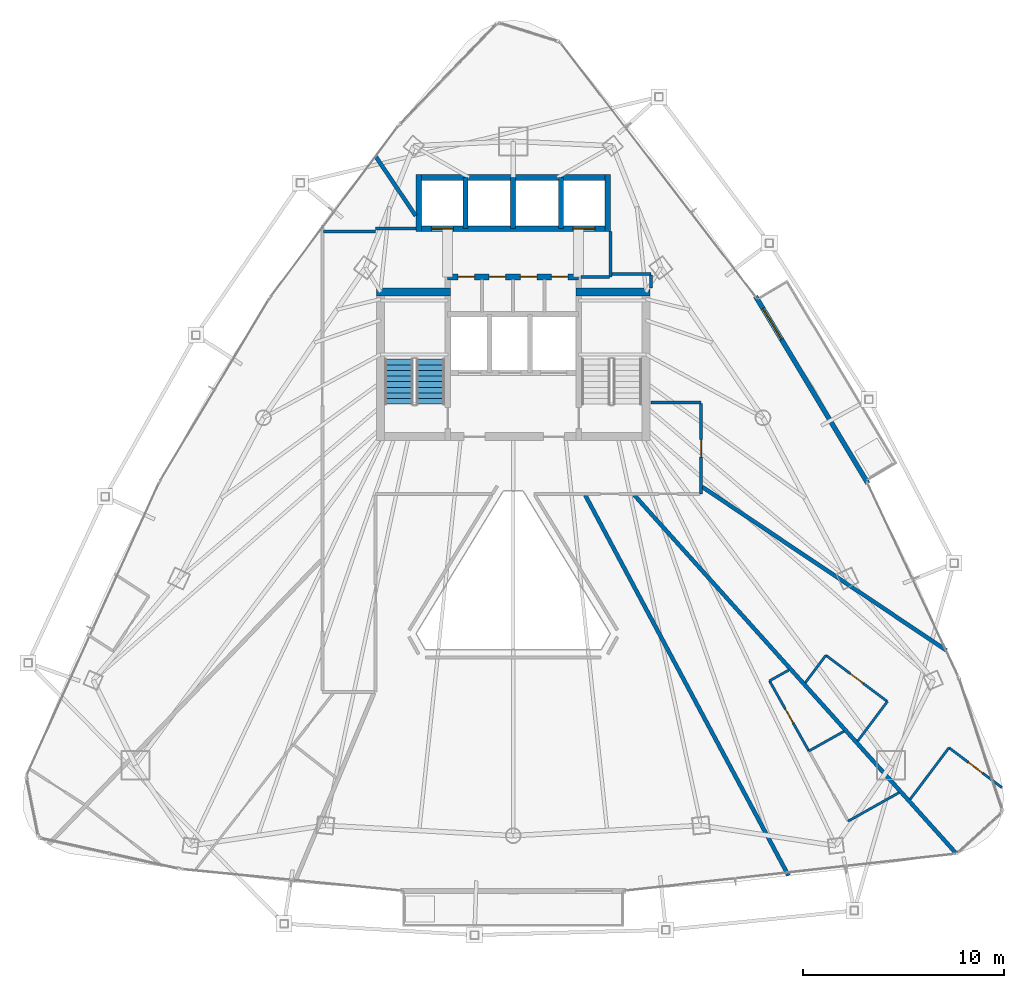
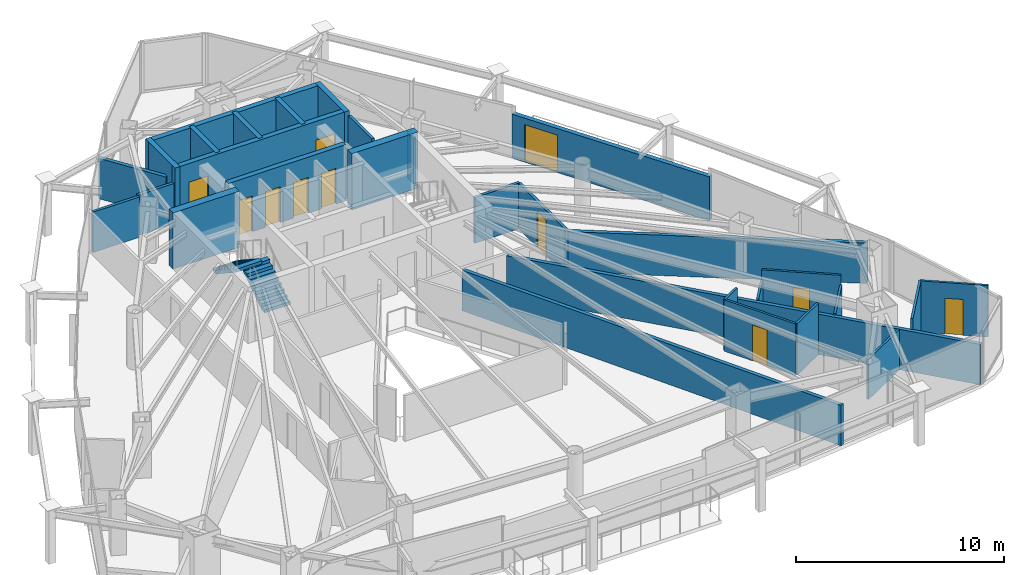
# One storey, part 27 of 31: 32 walls, 11 doors, 2 stair flights, 11 openings, 1 element without a shape of its own.
"""IFC4 building model written with IfcOpenShell, lengths in metres."""

from ifc_helpers import new_model, si_unit, direction, frame, frame_2d, origin, place, context, subcontext, project, spatial, polyline, rectangle, outline, extrude, material, layer, layer_set, type_object, element, fill, aggregate, save


model = new_model("IFC4")

# Units and contexts
model_context = context("Model", 3, precision=1e-05, world=origin(), true_north=direction((0.0, 1.0)))
body_context = subcontext(model_context, "Body", "Model", "MODEL_VIEW")
ifc_project = project(units=[si_unit("LENGTHUNIT", "METRE"), si_unit("AREAUNIT", "SQUARE_METRE"), si_unit("VOLUMEUNIT", "CUBIC_METRE"), si_unit("PLANEANGLEUNIT", "RADIAN"), si_unit("MASSUNIT", "GRAM", prefix="KILO")], contexts=[model_context])

# Site, building, storey
site_placement = place(None, origin())
site = spatial("IfcSite", under=ifc_project, at=site_placement, CompositionType="ELEMENT")
building_placement = place(site_placement, origin())
building = spatial("IfcBuilding", under=site, at=building_placement, Name="Orvanel Arch Residences", CompositionType="ELEMENT")
storey_placement = place(building_placement, frame((0.0, 0.0, 183.64990234375)))
storey = spatial("IfcBuildingStorey", under=building, at=storey_placement, Name="L52", CompositionType="ELEMENT", Elevation=183.64990234375)

# Wall, opening, door
ifc_material_1 = material(Name="Precast concrete N50 (50 MPa)", Category="concrete")
ifc_layer_1 = layer(ifc_material_1, 0.239990234375)
ifc_layer_set_1 = layer_set([ifc_layer_1], Name="Precast concrete N50 (50 MPa)")
wall_type_1 = type_object("IfcWallType", Name="EW-BAL-240", PredefinedType="SOLIDWALL", material=ifc_layer_set_1)
wall_1_placement = place(storey_placement, frame((50.652099609375, 24.373046875, 0.0), z_axis=(0.0, 0.0, 1.0), x_axis=(-0.514290689074, 0.857615932182, 0.0)))
wall_1 = element("IfcWall", 1, at=wall_1_placement, inside=storey, type_object=wall_type_1, Name="L52 Balcony Threshold Wall Face 3", PredefinedType="SOLIDWALL", context=body_context, shape_type="SweptSolid", body=[
    extrude(rectangle(XDim=10.855712890625, YDim=0.239990234375, at=frame_2d((5.427734375, 0.0))), origin(), (0.0, 0.0, 1.0), 2.583984375),
])
opening_1_placement = place(wall_1_placement, frame((8.35791015625, 0.0, 0.0)))
opening_1 = element("IfcOpeningElement", 2, at=opening_1_placement, cuts=wall_1, Name="Opening DB-180", PredefinedType="OPENING", context=body_context, shape_type="SweptSolid", body=[
    extrude(rectangle(XDim=1.800048828125, YDim=2.199951171875, at=frame_2d((0.89990234375, 1.10009765625))), frame((0.0, 0.1298828125, 0.0), z_axis=(0.0, -1.0, 0.0), x_axis=(1.0, 0.0, 0.0)), (0.0, 0.0, 1.0), 0.260009765625),
])
ifc_material_2 = material(Name="Bronze-anodised aluminium AA6063-T6", Category="aluminium")
door_type_1 = type_object("IfcDoorType", Name="DR-BAL-1800", OperationType="NOTDEFINED", PredefinedType="DOOR", material=ifc_material_2)
door_1_placement = place(opening_1_placement, origin())
door_1 = element("IfcDoor", 3, at=door_1_placement, inside=storey, type_object=door_type_1, Name="DR-L52-BAL-F3 L52 Planted Balcony Access Door Face 3", OperationType="SINGLE_SWING_RIGHT", OverallHeight=2.199951171875, OverallWidth=1.800048828125, PredefinedType="DOOR", context=body_context, shape_type="SweptSolid", body=[
    extrude(rectangle(XDim=1.800048828125, YDim=2.199951171875, at=frame_2d((0.89990234375, 1.10009765625))), frame((0.0, 0.02490234375, 0.0), z_axis=(0.0, -1.0, 0.0), x_axis=(1.0, 0.0, 0.0)), (0.0, 0.0, 1.0), 0.050048828125),
])
fill(opening_1, door_1)

# Walls
ifc_material_3 = material(Name="Concrete N50 (50 MPa)", Category="concrete")
ifc_layer_2 = layer(ifc_material_3, 0.25)
ifc_layer_set_2 = layer_set([ifc_layer_2], Name="Concrete N50 (50 MPa)")
wall_type_2 = type_object("IfcWallType", Name="SW-CORE-250", PredefinedType="SHEAR", material=ifc_layer_set_2)
for number, where, z_axis, x_axis, name in (
    (4, (30.625, 37.050048828125, 0.0), (0.0, 0.0, 1.0), (0.0, 1.0, 0.0), "L52 Passenger Lift Inter-Shaft Wall P35"),
    (5, (33.0, 37.050048828125, 0.0), (0.0, 0.0, 1.0), (0.0, 1.0, 0.0), "L52 Passenger Lift Inter-Shaft Wall P56"),
    (6, (35.375, 37.050048828125, 0.0), (0.0, 0.0, 1.0), (0.0, 1.0, 0.0), "L52 Passenger Lift Inter-Shaft Wall P64"),
):
    element("IfcWall", number, at=place(storey_placement, frame(where, z_axis=z_axis, x_axis=x_axis)), inside=storey, type_object=wall_type_2, Name=name, PredefinedType="SHEAR", context=body_context, shape_type="SweptSolid", body=[
        extrude(rectangle(XDim=2.550048828125, YDim=0.25, at=frame_2d((1.27490234375, 0.0))), origin(), (0.0, 0.0, 1.0), 3.300048828125),
    ])

# Wall, openings, doors
ifc_material_4 = material(Name="Concrete S65 (65 MPa)", Category="concrete")
ifc_layer_3 = layer(ifc_material_4, 0.280029296875)
ifc_layer_set_3 = layer_set([ifc_layer_3], Name="Concrete S65 (65 MPa)")
wall_type_3 = type_object("IfcWallType", Name="SW-CORE-280", PredefinedType="SHEAR", material=ifc_layer_set_3)
wall_2_placement = place(storey_placement, frame((29.739990234375, 34.64990234375, 0.0), z_axis=(0.0, 0.0, 1.0), x_axis=(1.0, 0.0, 0.0)))
wall_2 = element("IfcWall", 7, at=wall_2_placement, inside=storey, type_object=wall_type_3, Name="L52 Core Service Band North Shear Wall", PredefinedType="SHEAR", context=body_context, shape_type="SweptSolid", body=[
    extrude(rectangle(XDim=6.52001953125, YDim=0.280029296875, at=frame_2d((3.260009765625, 0.0))), origin(), (0.0, 0.0, 1.0), 3.300048828125),
])
opening_2_placement = place(wall_2_placement, frame((0.514892578125, 0.0, 0.0)))
opening_2 = element("IfcOpeningElement", 8, at=opening_2_placement, cuts=wall_2, Name="Opening DS-082", PredefinedType="OPENING", context=body_context, shape_type="SweptSolid", body=[
    extrude(rectangle(XDim=0.820068359375, YDim=2.10009765625, at=frame_2d((0.41015625, 1.050048828125))), frame((0.0, 0.14990234375, 0.0), z_axis=(0.0, -1.0, 0.0), x_axis=(1.0, 0.0, 0.0)), (0.0, 0.0, 1.0), 0.300048828125),
])
opening_3_placement = place(wall_2_placement, frame((2.06494140625, 0.0, 0.0)))
opening_3 = element("IfcOpeningElement", 9, at=opening_3_placement, cuts=wall_2, Name="Opening DS-082", PredefinedType="OPENING", context=body_context, shape_type="SweptSolid", body=[
    extrude(rectangle(XDim=0.820068359375, YDim=2.10009765625, at=frame_2d((0.41015625, 1.050048828125))), frame((0.0, 0.14990234375, 0.0), z_axis=(0.0, -1.0, 0.0), x_axis=(1.0, 0.0, 0.0)), (0.0, 0.0, 1.0), 0.300048828125),
])
opening_4_placement = place(wall_2_placement, frame((3.614990234375, 0.0, 0.0)))
opening_4 = element("IfcOpeningElement", 10, at=opening_4_placement, cuts=wall_2, Name="Opening DS-082", PredefinedType="OPENING", context=body_context, shape_type="SweptSolid", body=[
    extrude(rectangle(XDim=0.820068359375, YDim=2.10009765625, at=frame_2d((0.41015625, 1.050048828125))), frame((0.0, 0.14990234375, 0.0), z_axis=(0.0, -1.0, 0.0), x_axis=(1.0, 0.0, 0.0)), (0.0, 0.0, 1.0), 0.300048828125),
])
opening_5_placement = place(wall_2_placement, frame((5.1650390625, 0.0, 0.0)))
opening_5 = element("IfcOpeningElement", 11, at=opening_5_placement, cuts=wall_2, Name="Opening DS-082", PredefinedType="OPENING", context=body_context, shape_type="SweptSolid", body=[
    extrude(rectangle(XDim=0.820068359375, YDim=2.10009765625, at=frame_2d((0.41015625, 1.050048828125))), frame((0.0, 0.14990234375, 0.0), z_axis=(0.0, -1.0, 0.0), x_axis=(1.0, 0.0, 0.0)), (0.0, 0.0, 1.0), 0.300048828125),
])
ifc_material_5 = material(Name="Galvanised steel fire-resisting door assembly", Category="steel")
door_type_2 = type_object("IfcDoorType", Name="DR-SVC-820", OperationType="NOTDEFINED", PredefinedType="DOOR", material=ifc_material_5)
door_2_placement = place(opening_2_placement, origin())
door_2 = element("IfcDoor", 12, at=door_2_placement, inside=storey, type_object=door_type_2, Name="DR-L52-CSVC-1 L52 Linen Store Door", OperationType="SINGLE_SWING_LEFT", OverallHeight=2.10009765625, OverallWidth=0.820068359375, PredefinedType="DOOR", context=body_context, shape_type="SweptSolid", body=[
    extrude(rectangle(XDim=0.820068359375, YDim=2.10009765625, at=frame_2d((0.41015625, 1.050048828125))), frame((0.0, 0.02490234375, 0.0), z_axis=(0.0, -1.0, 0.0), x_axis=(1.0, 0.0, 0.0)), (0.0, 0.0, 1.0), 0.050048828125),
])
fill(opening_2, door_2)
door_3_placement = place(opening_3_placement, origin())
door_3 = element("IfcDoor", 13, at=door_3_placement, inside=storey, type_object=door_type_2, Name="DR-L52-CSVC-2 L52 Cleaner's Store Door", OperationType="SINGLE_SWING_LEFT", OverallHeight=2.10009765625, OverallWidth=0.820068359375, PredefinedType="DOOR", context=body_context, shape_type="SweptSolid", body=[
    extrude(rectangle(XDim=0.820068359375, YDim=2.10009765625, at=frame_2d((0.41015625, 1.050048828125))), frame((0.0, 0.02490234375, 0.0), z_axis=(0.0, -1.0, 0.0), x_axis=(1.0, 0.0, 0.0)), (0.0, 0.0, 1.0), 0.050048828125),
])
fill(opening_3, door_3)
door_4_placement = place(opening_4_placement, origin())
door_4 = element("IfcDoor", 14, at=door_4_placement, inside=storey, type_object=door_type_2, Name="DR-L52-CSVC-3 L52 Electrical Meter Store Door", OperationType="SINGLE_SWING_LEFT", OverallHeight=2.10009765625, OverallWidth=0.820068359375, PredefinedType="DOOR", context=body_context, shape_type="SweptSolid", body=[
    extrude(rectangle(XDim=0.820068359375, YDim=2.10009765625, at=frame_2d((0.41015625, 1.050048828125))), frame((0.0, 0.02490234375, 0.0), z_axis=(0.0, -1.0, 0.0), x_axis=(1.0, 0.0, 0.0)), (0.0, 0.0, 1.0), 0.050048828125),
])
fill(opening_4, door_4)
door_5_placement = place(opening_5_placement, origin())
door_5 = element("IfcDoor", 15, at=door_5_placement, inside=storey, type_object=door_type_2, Name="DR-L52-CSVC-4 L52 Housekeeping Supply Store Door", OperationType="SINGLE_SWING_LEFT", OverallHeight=2.10009765625, OverallWidth=0.820068359375, PredefinedType="DOOR", context=body_context, shape_type="SweptSolid", body=[
    extrude(rectangle(XDim=0.820068359375, YDim=2.10009765625, at=frame_2d((0.41015625, 1.050048828125))), frame((0.0, 0.02490234375, 0.0), z_axis=(0.0, -1.0, 0.0), x_axis=(1.0, 0.0, 0.0)), (0.0, 0.0, 1.0), 0.050048828125),
])
fill(opening_5, door_5)

wall_3_placement = place(storey_placement, frame((37.840087890625, 37.050048828125, 0.0), z_axis=(0.0, 0.0, 1.0), x_axis=(-1.0, 0.0, 0.0)))
wall_3 = element("IfcWall", 16, at=wall_3_placement, inside=storey, type_object=wall_type_3, Name="L52 Passenger Lift Bank Front Shear Wall", PredefinedType="SHEAR", context=body_context, shape_type="SweptSolid", body=[
    extrude(rectangle(XDim=9.68017578125, YDim=0.280029296875, at=frame_2d((4.840087890625, 0.0))), origin(), (0.0, 0.0, 1.0), 3.300048828125),
])
opening_6_placement = place(wall_3_placement, frame((7.81494140625, 0.0, 0.0)))
opening_6 = element("IfcOpeningElement", 17, at=opening_6_placement, cuts=wall_3, Name="Opening LD-110", PredefinedType="OPENING", context=body_context, shape_type="SweptSolid", body=[
    extrude(rectangle(XDim=1.10009765625, YDim=2.199951171875, at=frame_2d((0.550048828125, 1.10009765625))), frame((0.0, 0.14990234375, 0.0), z_axis=(0.0, -1.0, 0.0), x_axis=(1.0, 0.0, 0.0)), (0.0, 0.0, 1.0), 0.300048828125),
])
opening_7_placement = place(wall_3_placement, frame((0.764892578125, 0.0, 0.0)))
opening_7 = element("IfcOpeningElement", 18, at=opening_7_placement, cuts=wall_3, Name="Opening LD-110", PredefinedType="OPENING", context=body_context, shape_type="SweptSolid", body=[
    extrude(rectangle(XDim=1.10009765625, YDim=2.199951171875, at=frame_2d((0.550048828125, 1.10009765625))), frame((0.0, 0.14990234375, 0.0), z_axis=(0.0, -1.0, 0.0), x_axis=(1.0, 0.0, 0.0)), (0.0, 0.0, 1.0), 0.300048828125),
])
door_type_3 = type_object("IfcDoorType", Name="DR-LFT-1100", OperationType="NOTDEFINED", PredefinedType="DOOR", material=ifc_material_5)
door_6_placement = place(opening_6_placement, origin())
door_6 = element("IfcDoor", 19, at=door_6_placement, inside=storey, type_object=door_type_3, Name="LD-P3-L52 L52 Passenger Lift P3 Sliding Landing Door", OperationType="DOUBLE_DOOR_SLIDING", OverallHeight=2.199951171875, OverallWidth=1.10009765625, PredefinedType="DOOR", context=body_context, shape_type="SweptSolid", body=[
    extrude(rectangle(XDim=1.10009765625, YDim=2.199951171875, at=frame_2d((0.550048828125, 1.10009765625))), frame((0.0, 0.02490234375, 0.0), z_axis=(0.0, -1.0, 0.0), x_axis=(1.0, 0.0, 0.0)), (0.0, 0.0, 1.0), 0.050048828125),
])
fill(opening_6, door_6)
door_7_placement = place(opening_7_placement, origin())
door_7 = element("IfcDoor", 20, at=door_7_placement, inside=storey, type_object=door_type_3, Name="LD-P4-L52 L52 Passenger Lift P4 Sliding Landing Door", OperationType="DOUBLE_DOOR_SLIDING", OverallHeight=2.199951171875, OverallWidth=1.10009765625, PredefinedType="DOOR", context=body_context, shape_type="SweptSolid", body=[
    extrude(rectangle(XDim=1.10009765625, YDim=2.199951171875, at=frame_2d((0.550048828125, 1.10009765625))), frame((0.0, 0.02490234375, 0.0), z_axis=(0.0, -1.0, 0.0), x_axis=(1.0, 0.0, 0.0)), (0.0, 0.0, 1.0), 0.050048828125),
])
fill(opening_7, door_7)

# Walls
wall_4_placement = place(storey_placement, frame((28.159912109375, 39.60009765625, 0.0), z_axis=(0.0, 0.0, 1.0), x_axis=(1.0, 0.0, 0.0)))
element("IfcWall", 21, at=wall_4_placement, inside=storey, type_object=wall_type_3, Name="L52 Passenger Lift Bank North Shear Wall", PredefinedType="SHEAR", context=body_context, shape_type="SweptSolid", body=[
    extrude(rectangle(XDim=9.68017578125, YDim=0.280029296875, at=frame_2d((4.840087890625, 0.0))), origin(), (0.0, 0.0, 1.0), 3.300048828125),
])
for number, where, z_axis, x_axis, name in (
    (22, (28.300048828125, 36.909912109375, 0.0), (0.0, 0.0, 1.0), (0.0, 1.0, 0.0), "L52 Passenger Lift Bank West Shear Wall"),
    (23, (37.699951171875, 36.909912109375, 0.0), (0.0, 0.0, 1.0), (0.0, 1.0, 0.0), "L52 Passenger Lift Bank East Shear Wall"),
):
    element("IfcWall", number, at=place(storey_placement, frame(where, z_axis=z_axis, x_axis=x_axis)), inside=storey, type_object=wall_type_3, Name=name, PredefinedType="SHEAR", context=body_context, shape_type="SweptSolid", body=[
        extrude(rectangle(XDim=2.830078125, YDim=0.280029296875, at=frame_2d((1.4150390625, 0.0))), origin(), (0.0, 0.0, 1.0), 3.300048828125),
    ])
ifc_layer_4 = layer(ifc_material_4, 0.39990234375)
ifc_layer_set_4 = layer_set([ifc_layer_4], Name="Concrete S65 (65 MPa)")
wall_type_4 = type_object("IfcWallType", Name="SW-CORE-400", PredefinedType="SHEAR", material=ifc_layer_set_4)
for number, where, z_axis, x_axis, name in (
    (24, (26.199951171875, 33.89990234375, 0.0), (0.0, 0.0, 1.0), (1.0, 0.0, 0.0), "L52 West Stair North Shear Wall"),
    (25, (36.1201171875, 33.89990234375, 0.0), (0.0, 0.0, 1.0), (1.0, 0.0, 0.0), "L52 East Stair North Shear Wall"),
):
    element("IfcWall", number, at=place(storey_placement, frame(where, z_axis=z_axis, x_axis=x_axis)), inside=storey, type_object=wall_type_4, Name=name, PredefinedType="SHEAR", context=body_context, shape_type="SweptSolid", body=[
        extrude(rectangle(XDim=3.679931640625, YDim=0.39990234375, at=frame_2d((1.83984375, 0.0))), origin(), (0.0, 0.0, 1.0), 3.300048828125),
    ])
ifc_material_6 = material(Name="Fire-rated plasterboard lined steel stud partition", Category="steel")
ifc_layer_5 = layer(ifc_material_6, 0.14990234375)
ifc_layer_set_5 = layer_set([ifc_layer_5], Name="Fire-rated plasterboard lined steel stud partition")
wall_type_5 = type_object("IfcWallType", Name="W-COR-150", PredefinedType="PARTITIONING", material=ifc_layer_set_5)
wall_5_placement = place(storey_placement, frame((37.85009765625, 34.64990234375, 0.0), z_axis=(0.0, 0.0, 1.0), x_axis=(0.0, 1.0, 0.0)))
element("IfcWall", 26, at=wall_5_placement, inside=storey, type_object=wall_type_5, Name="L52 Passenger Lift Lobby East Closure Wall", PredefinedType="PARTITIONING", context=body_context, shape_type="SweptSolid", body=[
    extrude(rectangle(XDim=2.260009765625, YDim=0.14990234375, at=frame_2d((1.1298828125, 0.0))), origin(), (0.0, 0.0, 1.0), 3.02001953125),
])
wall_6_placement = place(storey_placement, frame((36.385009765625, 34.64990234375, 0.0), z_axis=(0.0, 0.0, 1.0), x_axis=(1.0, 0.0, 0.0)))
element("IfcWall", 27, at=wall_6_placement, inside=storey, type_object=wall_type_5, Name="L52 Passenger Lift Lobby South-East Wall", PredefinedType="PARTITIONING", context=body_context, shape_type="SweptSolid", body=[
    extrude(rectangle(XDim=1.405029296875, YDim=0.14990234375, at=frame_2d((0.70263671875, 0.0))), origin(), (0.0, 0.0, 1.0), 2.385009765625),
])
wall_7_placement = place(storey_placement, frame((23.56005859375, 36.89990234375, 0.0), z_axis=(0.0, 0.0, 1.0), x_axis=(1.0, 0.0, 0.0)))
element("IfcWall", 28, at=wall_7_placement, inside=storey, type_object=wall_type_5, Name="L52 Corridor Fire-Rated Partition", PredefinedType="PARTITIONING", context=body_context, shape_type="SweptSolid", body=[
    extrude(rectangle(XDim=2.58984375, YDim=0.14990234375, at=frame_2d((1.294921875, 0.0))), origin(), (0.0, 0.0, 1.0), 2.373046875),
])
wall_8_placement = place(storey_placement, frame((39.85009765625, 28.39990234375, 0.0), z_axis=(0.0, 0.0, 1.0), x_axis=(1.0, 0.0, 0.0)))
element("IfcWall", 29, at=wall_8_placement, inside=storey, type_object=wall_type_5, Name="L52 Corridor Fire-Rated Partition", PredefinedType="PARTITIONING", context=body_context, shape_type="SweptSolid", body=[
    extrude(rectangle(XDim=2.5, YDim=0.14990234375, at=frame_2d((1.25, 0.0))), origin(), (0.0, 0.0, 1.0), 2.68115234375),
])

# Wall, opening, door
wall_9_placement = place(storey_placement, frame((42.35009765625, 28.340087890625, 0.0), z_axis=(0.0, 0.0, 1.0), x_axis=(0.0, -1.0, 0.0)))
wall_9 = element("IfcWall", 30, at=wall_9_placement, inside=storey, type_object=wall_type_5, Name="L52 Corridor Fire-Rated Partition", PredefinedType="PARTITIONING", context=body_context, shape_type="SweptSolid", body=[
    extrude(rectangle(XDim=4.489990234375, YDim=0.14990234375, at=frame_2d((2.2451171875, 0.0))), origin(), (0.0, 0.0, 1.0), 2.68115234375),
])
opening_8_placement = place(wall_9_placement, frame((1.782958984375, 0.0, 0.0)))
opening_8 = element("IfcOpeningElement", 31, at=opening_8_placement, cuts=wall_9, Name="Opening DI-088", PredefinedType="OPENING", context=body_context, shape_type="SweptSolid", body=[
    extrude(rectangle(XDim=0.8798828125, YDim=2.10009765625, at=frame_2d((0.43994140625, 1.050048828125))), frame((0.0, 0.0849609375, 0.0), z_axis=(0.0, -1.0, 0.0), x_axis=(1.0, 0.0, 0.0)), (0.0, 0.0, 1.0), 0.169921875),
])
ifc_material_7 = material(Name="Solid-core European oak veneer fire door leaf", Category="wood")
door_type_4 = type_object("IfcDoorType", Name="DR-INT-880", OperationType="NOTDEFINED", PredefinedType="DOOR", material=ifc_material_7)
door_8_placement = place(opening_8_placement, origin())
door_8 = element("IfcDoor", 32, at=door_8_placement, inside=storey, type_object=door_type_4, Name="DR-L52-RCP51-2 L52 Concierge Mail Reception 2 Door", OperationType="SINGLE_SWING_LEFT", OverallHeight=2.10009765625, OverallWidth=0.8798828125, PredefinedType="DOOR", context=body_context, shape_type="SweptSolid", body=[
    extrude(rectangle(XDim=0.8798828125, YDim=2.10009765625, at=frame_2d((0.43994140625, 1.050048828125))), frame((0.0, 0.02490234375, 0.0), z_axis=(0.0, -1.0, 0.0), x_axis=(1.0, 0.0, 0.0)), (0.0, 0.0, 1.0), 0.050048828125),
])
fill(opening_8, door_8)

# Walls
wall_10_placement = place(storey_placement, frame((26.14990234375, 37.050048828125, 0.0), z_axis=(0.0, 0.0, 1.0), x_axis=(1.0, 0.0, 0.0)))
element("IfcWall", 33, at=wall_10_placement, inside=storey, type_object=wall_type_5, Name="L52 Core Perimeter Partition", PredefinedType="PARTITIONING", context=body_context, shape_type="SweptSolid", body=[
    extrude(rectangle(XDim=2.0, YDim=0.14990234375, at=frame_2d((1.0, 0.0))), origin(), (0.0, 0.0, 1.0), 2.373046875),
])
wall_11_placement = place(storey_placement, frame((37.909912109375, 34.800048828125, 0.0), z_axis=(0.0, 0.0, 1.0), x_axis=(1.0, 0.0, 0.0)))
element("IfcWall", 34, at=wall_11_placement, inside=storey, type_object=wall_type_5, Name="L52 Core Perimeter Partition", PredefinedType="PARTITIONING", context=body_context, shape_type="SweptSolid", body=[
    extrude(rectangle(XDim=1.940185546875, YDim=0.14990234375, at=frame_2d((0.97021484375, 0.0))), origin(), (0.0, 0.0, 1.0), 2.68115234375),
])
wall_12_placement = place(storey_placement, frame((39.85009765625, 34.739990234375, 0.0), z_axis=(0.0, 0.0, 1.0), x_axis=(0.0, -1.0, 0.0)))
element("IfcWall", 35, at=wall_12_placement, inside=storey, type_object=wall_type_5, Name="L52 Core Perimeter Partition", PredefinedType="PARTITIONING", context=body_context, shape_type="SweptSolid", body=[
    extrude(rectangle(XDim=0.639892578125, YDim=0.14990234375, at=frame_2d((0.31982421875, 0.0))), origin(), (0.0, 0.0, 1.0), 2.68115234375),
])
ifc_layer_6 = layer(ifc_material_6, 0.199951171875)
ifc_layer_set_6 = layer_set([ifc_layer_6], Name="Fire-rated plasterboard lined steel stud partition")
wall_type_6 = type_object("IfcWallType", Name="W-DEM-200", PredefinedType="PARTITIONING", material=ifc_layer_set_6)
wall_13_placement = place(storey_placement, frame((36.5849609375, 23.7900390625, 0.0), z_axis=(0.0, 0.0, 1.0), x_axis=(0.47121923303, -0.88201611914, 0.0)))
element("IfcWall", 36, at=wall_13_placement, inside=storey, type_object=wall_type_6, Name="L52 Inter-Tenancy Acoustic Demising Wall", PredefinedType="PARTITIONING", context=body_context, shape_type="SweptSolid", body=[
    extrude(rectangle(XDim=21.46337890625, YDim=0.199951171875, at=frame_2d((10.731689453125, 0.0))), origin(), (0.0, 0.0, 1.0), 2.373046875),
])
wall_14_placement = place(storey_placement, frame((28.14990234375, 37.68994140625, 0.0), z_axis=(0.0, 0.0, 1.0), x_axis=(-0.559089637851, 0.829107216738, 0.0)))
element("IfcWall", 37, at=wall_14_placement, inside=storey, type_object=wall_type_6, Name="L52 Inter-Tenancy Acoustic Demising Wall", PredefinedType="PARTITIONING", context=body_context, shape_type="SweptSolid", body=[
    extrude(rectangle(XDim=3.600341796875, YDim=0.199951171875, at=frame_2d((1.80029296875, 0.0))), origin(), (0.0, 0.0, 1.0), 2.373046875),
])
wall_15_placement = place(storey_placement, frame((54.571044921875, 16.054931640625, 0.0), z_axis=(0.0, 0.0, 1.0), x_axis=(-0.830893680957, 0.556431209535, 0.0)))
element("IfcWall", 38, at=wall_15_placement, inside=storey, type_object=wall_type_6, Name="L52 Inter-Tenancy Acoustic Demising Wall", PredefinedType="PARTITIONING", context=body_context, shape_type="SweptSolid", body=[
    extrude(rectangle(XDim=14.63623046875, YDim=0.199951171875, at=frame_2d((7.318115234375, 0.0))), origin(), (0.0, 0.0, 1.0), 2.373046875),
])
wall_16_placement = place(storey_placement, frame((55.049072265625, 5.95703125, 0.0), z_axis=(0.0, 0.0, 1.0), x_axis=(-0.668302779631, 0.743889369958, 0.0)))
element("IfcWall", 39, at=wall_16_placement, inside=storey, type_object=wall_type_6, Name="L52 Inter-Tenancy Acoustic Demising Wall", PredefinedType="PARTITIONING", context=body_context, shape_type="SweptSolid", body=[
    extrude(rectangle(XDim=23.97265625, YDim=0.199951171875, at=frame_2d((11.986328125, 0.0))), origin(), (0.0, 0.0, 1.0), 2.373046875),
])
ifc_material_8 = material(Name="Acoustic plasterboard lined twin-stud partition", Category="gypsum")
ifc_layer_7 = layer(ifc_material_8, 0.1201171875)
ifc_layer_set_7 = layer_set([ifc_layer_7], Name="Acoustic plasterboard lined twin-stud partition")
wall_type_7 = type_object("IfcWallType", Name="W-WET-120", PredefinedType="PARTITIONING", material=ifc_layer_set_7)
wall_17_placement = place(storey_placement, frame((50.14208984375, 11.547119140625, 0.0), z_axis=(0.0, 0.0, 1.0), x_axis=(0.600522581987, 0.799607796688, 0.0)))
element("IfcWall", 40, at=wall_17_placement, inside=storey, type_object=wall_type_7, Name="L52 Studio C Bathroom Partition", PredefinedType="PARTITIONING", context=body_context, shape_type="SweptSolid", body=[
    extrude(rectangle(XDim=2.466064453125, YDim=0.1201171875, at=frame_2d((1.23291015625, 0.0))), origin(), (0.0, 0.0, 1.0), 2.4521484375),
])

# Wall, opening, door
wall_18_placement = place(storey_placement, frame((51.623046875, 13.51904296875, 0.0), z_axis=(0.0, 0.0, 1.0), x_axis=(-0.799464069649, 0.600713909728, 0.0)))
wall_18 = element("IfcWall", 41, at=wall_18_placement, inside=storey, type_object=wall_type_7, Name="L52 Studio C Bathroom Partition", PredefinedType="PARTITIONING", context=body_context, shape_type="SweptSolid", body=[
    extrude(rectangle(XDim=3.828857421875, YDim=0.1201171875, at=frame_2d((1.91455078125, 0.0))), origin(), (0.0, 0.0, 1.0), 3.02001953125),
])
opening_9_placement = place(wall_18_placement, frame((1.50390625, 0.0, 0.0)))
opening_9 = element("IfcOpeningElement", 42, at=opening_9_placement, cuts=wall_18, Name="Opening DW-082", PredefinedType="OPENING", context=body_context, shape_type="SweptSolid", body=[
    extrude(rectangle(XDim=0.820068359375, YDim=2.10009765625, at=frame_2d((0.41015625, 1.050048828125))), frame((0.0, 0.070068359375, 0.0), z_axis=(0.0, -1.0, 0.0), x_axis=(1.0, 0.0, 0.0)), (0.0, 0.0, 1.0), 0.14013671875),
])
door_type_5 = type_object("IfcDoorType", Name="DR-WET-820", OperationType="NOTDEFINED", PredefinedType="DOOR", material=ifc_material_7)
door_9_placement = place(opening_9_placement, origin())
door_9 = element("IfcDoor", 43, at=door_9_placement, inside=storey, type_object=door_type_5, Name="DR-L52-C-BATH L52 Studio C Bathroom Door", OperationType="SINGLE_SWING_RIGHT", OverallHeight=2.10009765625, OverallWidth=0.820068359375, PredefinedType="DOOR", context=body_context, shape_type="SweptSolid", body=[
    extrude(rectangle(XDim=0.820068359375, YDim=2.10009765625, at=frame_2d((0.41015625, 1.050048828125))), frame((0.0, 0.02490234375, 0.0), z_axis=(0.0, -1.0, 0.0), x_axis=(1.0, 0.0, 0.0)), (0.0, 0.0, 1.0), 0.050048828125),
])
fill(opening_9, door_9)

# Wall
wall_19_placement = place(storey_placement, frame((48.56201171875, 15.819091796875, 0.0), z_axis=(0.0, 0.0, 1.0), x_axis=(-0.600820734403, -0.799383790874, 0.0)))
element("IfcWall", 44, at=wall_19_placement, inside=storey, type_object=wall_type_7, Name="L52 Studio C Bathroom Partition", PredefinedType="PARTITIONING", context=body_context, shape_type="SweptSolid", body=[
    extrude(rectangle(XDim=1.712646484375, YDim=0.1201171875, at=frame_2d((0.8564453125, 0.0))), origin(), (0.0, 0.0, 1.0), 2.4521484375),
])

# Wall, opening, door
wall_20_placement = place(storey_placement, frame((57.3310546875, 9.23193359375, 0.0), z_axis=(0.0, 0.0, 1.0), x_axis=(-0.799486289087, 0.600684337704, 0.0)))
wall_20 = element("IfcWall", 45, at=wall_20_placement, inside=storey, type_object=wall_type_7, Name="L52 Studio C Internal Partition", PredefinedType="PARTITIONING", context=body_context, shape_type="SweptSolid", body=[
    extrude(rectangle(XDim=3.3095703125, YDim=0.1201171875, at=frame_2d((1.65478515625, 0.0))), origin(), (0.0, 0.0, 1.0), 3.02001953125),
])
opening_10_placement = place(wall_20_placement, frame((1.215087890625, 0.0, 0.0)))
opening_10 = element("IfcOpeningElement", 46, at=opening_10_placement, cuts=wall_20, Name="Opening DI-088", PredefinedType="OPENING", context=body_context, shape_type="SweptSolid", body=[
    extrude(rectangle(XDim=0.8798828125, YDim=2.10009765625, at=frame_2d((0.43994140625, 1.050048828125))), frame((0.0, 0.070068359375, 0.0), z_axis=(0.0, -1.0, 0.0), x_axis=(1.0, 0.0, 0.0)), (0.0, 0.0, 1.0), 0.14013671875),
])
door_10_placement = place(opening_10_placement, origin())
door_10 = element("IfcDoor", 47, at=door_10_placement, inside=storey, type_object=door_type_4, Name="DR-L52-C-KIT L52 Studio C Kitchenette Door", OperationType="SINGLE_SWING_LEFT", OverallHeight=2.10009765625, OverallWidth=0.8798828125, PredefinedType="DOOR", context=body_context, shape_type="SweptSolid", body=[
    extrude(rectangle(XDim=0.8798828125, YDim=2.10009765625, at=frame_2d((0.43994140625, 1.050048828125))), frame((0.0, 0.02490234375, 0.0), z_axis=(0.0, -1.0, 0.0), x_axis=(1.0, 0.0, 0.0)), (0.0, 0.0, 1.0), 0.050048828125),
])
fill(opening_10, door_10)

# Walls
wall_21_placement = place(storey_placement, frame((54.68505859375, 11.219970703125, 0.0), z_axis=(0.0, 0.0, 1.0), x_axis=(-0.600472636757, -0.799645304185, 0.0)))
element("IfcWall", 48, at=wall_21_placement, inside=storey, type_object=wall_type_7, Name="L52 Studio C Internal Partition", PredefinedType="PARTITIONING", context=body_context, shape_type="SweptSolid", body=[
    extrude(rectangle(XDim=3.22265625, YDim=0.1201171875, at=frame_2d((1.611328125, 0.0))), origin(), (0.0, 0.0, 1.0), 3.02001953125),
])
wall_22_placement = place(storey_placement, frame((46.72802734375, 15.092041015625, 0.0), z_axis=(0.0, 0.0, 1.0), x_axis=(-0.872259310975, -0.489043652875, 0.0)))
element("IfcWall", 49, at=wall_22_placement, inside=storey, type_object=wall_type_7, Name="L52 Studio D Bathroom Partition", PredefinedType="PARTITIONING", context=body_context, shape_type="SweptSolid", body=[
    extrude(rectangle(XDim=1.1142578125, YDim=0.1201171875, at=frame_2d((0.55712890625, 0.0))), origin(), (0.0, 0.0, 1.0), 3.02001953125),
])

# Wall, opening, door
wall_23_placement = place(storey_placement, frame((45.756103515625, 14.547119140625, 0.0), z_axis=(0.0, 0.0, 1.0), x_axis=(0.489160448732, -0.872193817564, 0.0)))
wall_23 = element("IfcWall", 50, at=wall_23_placement, inside=storey, type_object=wall_type_7, Name="L52 Studio D Bathroom Partition", PredefinedType="PARTITIONING", context=body_context, shape_type="SweptSolid", body=[
    extrude(rectangle(XDim=4.002685546875, YDim=0.1201171875, at=frame_2d((2.00146484375, 0.0))), origin(), (0.0, 0.0, 1.0), 3.02001953125),
])
opening_11_placement = place(wall_23_placement, frame((1.591064453125, 0.0, 0.0)))
opening_11 = element("IfcOpeningElement", 51, at=opening_11_placement, cuts=wall_23, Name="Opening DW-082", PredefinedType="OPENING", context=body_context, shape_type="SweptSolid", body=[
    extrude(rectangle(XDim=0.820068359375, YDim=2.10009765625, at=frame_2d((0.41015625, 1.050048828125))), frame((0.0, 0.070068359375, 0.0), z_axis=(0.0, -1.0, 0.0), x_axis=(1.0, 0.0, 0.0)), (0.0, 0.0, 1.0), 0.14013671875),
])
door_11_placement = place(opening_11_placement, origin())
door_11 = element("IfcDoor", 52, at=door_11_placement, inside=storey, type_object=door_type_5, Name="DR-L52-D-BATH L52 Studio D Bathroom Door", OperationType="SINGLE_SWING_RIGHT", OverallHeight=2.10009765625, OverallWidth=0.820068359375, PredefinedType="DOOR", context=body_context, shape_type="SweptSolid", body=[
    extrude(rectangle(XDim=0.820068359375, YDim=2.10009765625, at=frame_2d((0.41015625, 1.050048828125))), frame((0.0, 0.02490234375, 0.0), z_axis=(0.0, -1.0, 0.0), x_axis=(1.0, 0.0, 0.0)), (0.0, 0.0, 1.0), 0.050048828125),
])
fill(opening_11, door_11)

# Walls
wall_24_placement = place(storey_placement, frame((49.6708984375, 7.56591796875, 0.0), z_axis=(0.0, 0.0, 1.0), x_axis=(0.872184059235, 0.489177847838, 0.0)))
element("IfcWall", 53, at=wall_24_placement, inside=storey, type_object=wall_type_7, Name="L52 Studio D Internal Partition", PredefinedType="PARTITIONING", context=body_context, shape_type="SweptSolid", body=[
    extrude(rectangle(XDim=2.9111328125, YDim=0.1201171875, at=frame_2d((1.45556640625, 0.0))), origin(), (0.0, 0.0, 1.0), 2.373046875),
])
wall_25_placement = place(storey_placement, frame((49.468994140625, 12.041015625, 0.0), z_axis=(0.0, 0.0, 1.0), x_axis=(-0.872002863311, -0.489500772602, 0.0)))
element("IfcWall", 54, at=wall_25_placement, inside=storey, type_object=wall_type_7, Name="L52 Studio D Bathroom Partition", PredefinedType="PARTITIONING", context=body_context, shape_type="SweptSolid", body=[
    extrude(rectangle(XDim=2.012451171875, YDim=0.1201171875, at=frame_2d((1.00634765625, 0.0))), origin(), (0.0, 0.0, 1.0), 3.02001953125),
])

# Stair, stair flights
stair_type = type_object("IfcStairType", Name="STR-DOG-184", PredefinedType="USERDEFINED", material=ifc_material_1)
stair_placement = place(storey_placement, origin())
stair = element("IfcStair", 55, at=stair_placement, inside=storey, type_object=stair_type, Name="L52 Fire-Isolated Core Exit Stair 1", ObjectType="TWO_RETURN_STAIR", PredefinedType="USERDEFINED")
stair_flight_type = type_object("IfcStairFlightType", Name="SFL-C1-184", PredefinedType="STRAIGHT", material=ifc_material_1)
stair_flight_1_placement = place(storey_placement, frame((28.889892578125, 28.320068359375, 0.0), z_axis=(0.0, 0.0, 1.0), x_axis=(0.0, 1.0, 0.0)))
stair_flight_1 = element("IfcStairFlight", 56, at=stair_flight_1_placement, type_object=stair_flight_type, Name="ST-1 flight 1", NumberOfRisers=9, NumberOfTreads=8, PredefinedType="STRAIGHT", RiserHeight=0.183333333, TreadLength=0.28, context=body_context, shape_type="SweptSolid", body=[
    extrude(outline(polyline([(0.0, 0.0), (0.0, 0.183349609375), (0.280029296875, 0.183349609375), (0.280029296875, 0.36669921875), (0.56005859375, 0.36669921875), (0.56005859375, 0.550048828125), (0.840087890625, 0.550048828125), (0.840087890625, 0.7333984375), (1.1201171875, 0.7333984375), (1.1201171875, 0.916748046875), (1.39990234375, 0.916748046875), (1.39990234375, 1.10009765625), (1.679931640625, 1.10009765625), (1.679931640625, 1.283447265625), (1.9599609375, 1.283447265625), (1.9599609375, 1.466552734375), (2.239990234375, 1.466552734375), (2.239990234375, 1.64990234375), (2.239990234375, 1.28759765625), (0.273681640625, 0.0), (0.0, 0.0)])), frame((0.0, 0.7099609375, 0.0), z_axis=(0.0, -1.0, 0.0), x_axis=(1.0, 0.0, 0.0)), (0.0, 0.0, 1.0), 1.419921875),
])
stair_flight_2_placement = place(storey_placement, frame((27.31005859375, 30.56005859375, 1.650146484375), z_axis=(0.0, 0.0, 1.0), x_axis=(0.0, -1.0, 0.0)))
stair_flight_2 = element("IfcStairFlight", 57, at=stair_flight_2_placement, type_object=stair_flight_type, Name="ST-1 flight 2", NumberOfRisers=9, NumberOfTreads=8, PredefinedType="STRAIGHT", RiserHeight=0.183333333, TreadLength=0.28, context=body_context, shape_type="SweptSolid", body=[
    extrude(outline(polyline([(0.0, 0.0), (0.0, 0.183349609375), (0.280029296875, 0.183349609375), (0.280029296875, 0.36669921875), (0.56005859375, 0.36669921875), (0.56005859375, 0.550048828125), (0.840087890625, 0.550048828125), (0.840087890625, 0.7333984375), (1.1201171875, 0.7333984375), (1.1201171875, 0.916748046875), (1.39990234375, 0.916748046875), (1.39990234375, 1.10009765625), (1.679931640625, 1.10009765625), (1.679931640625, 1.283447265625), (1.9599609375, 1.283447265625), (1.9599609375, 1.466552734375), (2.239990234375, 1.466552734375), (2.239990234375, 1.64990234375), (2.239990234375, 1.28759765625), (0.273681640625, 0.0), (0.0, 0.0)])), frame((0.0, 0.7099609375, 0.0), z_axis=(0.0, -1.0, 0.0), x_axis=(1.0, 0.0, 0.0)), (0.0, 0.0, 1.0), 1.419921875),
])
aggregate(stair, [stair_flight_1, stair_flight_2])

save(model, "model.ifc")
